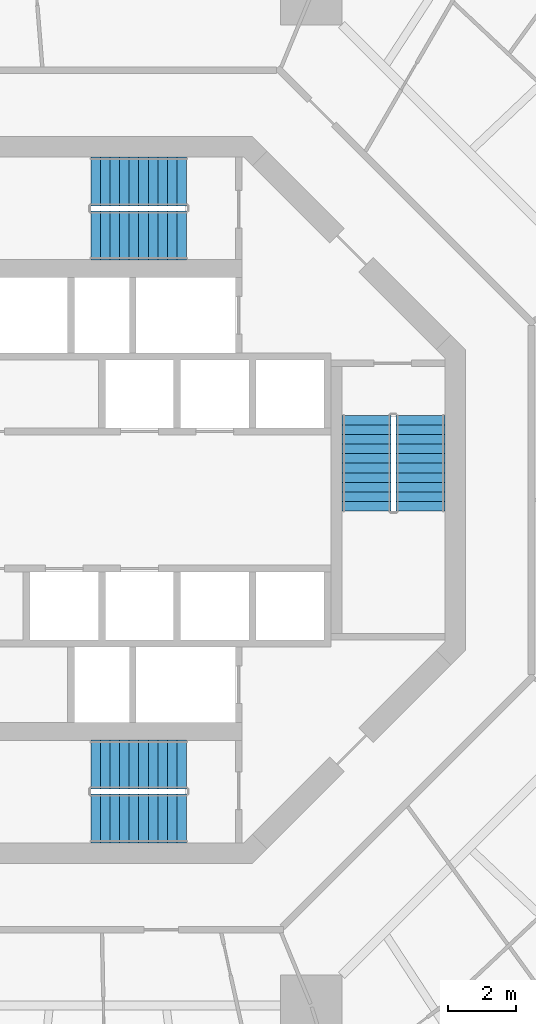
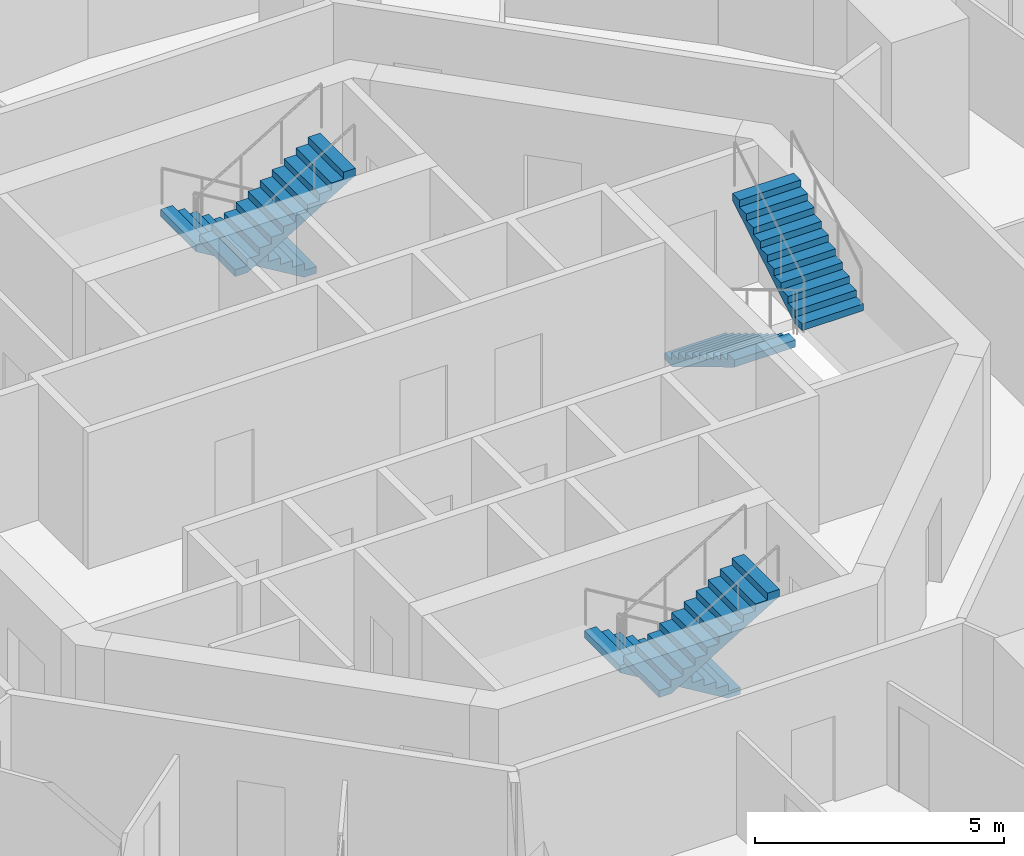
# One storey, part 16 of 19: 6 stair flights, 3 elements without a shape of their own.
"""IFC4 building model written with IfcOpenShell, lengths in metres."""

import ifcopenshell
import ifcopenshell.guid

model = None  # the IFC model being written
_history = None  # IfcOwnerHistory: only IFC2X3 demands one
_inside = {}  # id of a spatial element -> (the spatial element, [elements in it])
_under = {}  # id of a project, library or spatial element -> (it, [spatial elements below it])
_declared = {}  # id of a project -> (the project, [libraries it declares])
_typed = {}  # id of a type object -> (the type object, [elements of that type])
_made_of = {}  # id of a material, layer set ... -> (it, [elements and type objects made of it])


def new_model(schema):
    """Start an empty IFC model of exactly this schema.

    Asked for "IFC4X3", IfcOpenShell would pick the latest addendum, in which some entities
    have other attributes; the version numbers below select the first issue.
    IFC2X3 requires an IfcOwnerHistory on every rooted entity: one is made here for all.
    """
    global model, _history
    if schema == "IFC4X3":
        model = ifcopenshell.file(schema_version=(4, 3, 0, 0))
    else:
        model = ifcopenshell.file(schema=schema)
    _inside.clear()
    _under.clear()
    _declared.clear()
    _typed.clear()
    _made_of.clear()
    _history = None
    if model.schema == "IFC2X3":
        org = make("IfcOrganization", Name="unknown")
        user = make(
            "IfcPersonAndOrganization",
            ThePerson=make("IfcPerson", FamilyName="unknown"),
            TheOrganization=org,
        )
        app = make(
            "IfcApplication",
            ApplicationDeveloper=org,
            Version="unknown",
            ApplicationFullName="unknown",
            ApplicationIdentifier="unknown",
        )
        _history = make(
            "IfcOwnerHistory",
            OwningUser=user,
            OwningApplication=app,
            ChangeAction="ADDED",
            CreationDate=0,
        )
    return model


def make(cls, **values):
    """One entity of the class cls with the attributes given. An attribute that is None is left unset."""
    return model.create_entity(
        cls, **{name: value for name, value in values.items() if value is not None}
    )


def rooted(cls, **values):
    """An entity with a GlobalId (a new one), such as an element, a storey or a relation."""
    return make(cls, GlobalId=ifcopenshell.guid.new(), OwnerHistory=_history, **values)


def si_unit(unit_type, name, prefix=None):
    """IfcSIUnit, for example si_unit("LENGTHUNIT", "METRE", prefix="MILLI")."""
    return make("IfcSIUnit", UnitType=unit_type, Prefix=prefix, Name=name)


def assignment(units):
    """IfcUnitAssignment: the units of a project."""
    return None if units is None else make("IfcUnitAssignment", Units=units)


def point(xyz):
    """IfcCartesianPoint."""
    return None if xyz is None else make("IfcCartesianPoint", Coordinates=xyz)


def direction(xyz):
    """IfcDirection."""
    return None if xyz is None else make("IfcDirection", DirectionRatios=xyz)


def frame(location, z_axis=None, x_axis=None):
    """IfcAxis2Placement3D, a coordinate frame: its origin and axes. An axis left out is left unset."""
    return make(
        "IfcAxis2Placement3D",
        Location=point(location),
        Axis=direction(z_axis),
        RefDirection=direction(x_axis),
    )


def origin():
    """The frame at (0, 0, 0) with its axes left unset."""
    return frame((0.0, 0.0, 0.0))


def place(relative_to, where):
    """IfcLocalPlacement: puts the frame where relative to a parent placement (None: the world)."""
    return make(
        "IfcLocalPlacement", PlacementRelTo=relative_to, RelativePlacement=where
    )


def context(
    kind, dimensions, precision=None, world=None, true_north=None, identifier=None
):
    """IfcGeometricRepresentationContext, for example the 3D "Model" context."""
    return make(
        "IfcGeometricRepresentationContext",
        ContextIdentifier=identifier,
        ContextType=kind,
        CoordinateSpaceDimension=dimensions,
        Precision=precision,
        WorldCoordinateSystem=world,
        TrueNorth=true_north,
    )


def subcontext(parent, identifier, kind, view, scale=None):
    """IfcGeometricRepresentationSubContext, for example "Body" below "Model"."""
    return make(
        "IfcGeometricRepresentationSubContext",
        ContextIdentifier=identifier,
        ContextType=kind,
        ParentContext=parent,
        TargetScale=scale,
        TargetView=view,
    )


def project(units=None, contexts=None):
    """IfcProject with its units and contexts."""
    return rooted(
        "IfcProject",
        Name="project",
        RepresentationContexts=contexts,
        UnitsInContext=assignment(units),
    )


def spatial(cls, under=None, at=None, **own):
    """A site, building, storey or space (cls), placed at a placement, below another one or the project."""
    s = rooted(cls, ObjectPlacement=at, **own)
    if under is not None:
        _under.setdefault(under.id(), (under, []))[1].append(s)
    return s


def polyline(points):
    """IfcPolyline through the points."""
    return make("IfcPolyline", Points=[point(p) for p in points])


def outline(outer, holes=None, kind="AREA"):
    """IfcArbitraryClosedProfileDef: a profile drawn as a closed curve; with holes, ...WithVoids."""
    if holes is None:
        return make("IfcArbitraryClosedProfileDef", ProfileType=kind, OuterCurve=outer)
    return make(
        "IfcArbitraryProfileDefWithVoids",
        ProfileType=kind,
        OuterCurve=outer,
        InnerCurves=holes,
    )


def extrude(swept, where, along, depth):
    """IfcExtrudedAreaSolid: the profile swept, set in the frame where, extruded along a direction by depth."""
    return make(
        "IfcExtrudedAreaSolid",
        SweptArea=swept,
        Position=where,
        ExtrudedDirection=direction(along),
        Depth=depth,
    )


def shape(context_of_items, identifier, shape_type, items):
    """IfcShapeRepresentation: the items that make up one representation, for example the "Body"."""
    return make(
        "IfcShapeRepresentation",
        ContextOfItems=context_of_items,
        RepresentationIdentifier=identifier,
        RepresentationType=shape_type,
        Items=items,
    )


def material(Name=None, Category=None):
    """IfcMaterial."""
    return make("IfcMaterial", Name=Name, Category=Category)


def made_of(thing, what):
    """Note that an element or type object is made of a material, layer set ...; save() writes the relation."""
    if what is not None:
        _made_of.setdefault(what.id(), (what, []))[1].append(thing)
    return thing


def type_object(cls, material=None, **own):
    """A type object (cls), such as IfcWallType, which elements share."""
    return made_of(rooted(cls, **own), material)


def element(
    cls,
    number,
    at=None,
    inside=None,
    cuts=None,
    type_object=None,
    material=None,
    context=None,
    identifier="Body",
    shape_type=None,
    held_by="IfcProductDefinitionShape",
    body=None,
    shapes=None,
    **own,
):
    """One element of the class cls, such as IfcWall. Its Tag is "e" and its number.

    at: its placement. inside: the storey or other place that contains it. cuts: it is an
    opening in that element (IfcRelVoidsElement). A single representation is given by context,
    identifier, shape_type and body (its items); several are given by shapes. held_by: the class
    of the entity that holds the representations. save() writes the other relations.
    """
    e = rooted(cls, Tag="e%d" % number, ObjectPlacement=at, **own)
    if body is not None:
        shapes = [shape(context, identifier, shape_type, body)]
    if shapes is not None:
        e.Representation = make(held_by, Representations=shapes)
    if inside is not None:
        _inside.setdefault(inside.id(), (inside, []))[1].append(e)
    if cuts is not None:
        rooted(
            "IfcRelVoidsElement", RelatingBuildingElement=cuts, RelatedOpeningElement=e
        )
    if type_object is not None:
        _typed.setdefault(type_object.id(), (type_object, []))[1].append(e)
    return made_of(e, material)


def aggregate(whole, parts):
    """IfcRelAggregates: a whole, such as a stair, and the parts it consists of."""
    return rooted("IfcRelAggregates", RelatingObject=whole, RelatedObjects=parts)


def save(model, path):
    """Write the relations noted so far, then the file.

    IfcRelAggregates (storeys below a building ...), IfcRelContainedInSpatialStructure (elements
    in a storey), IfcRelDefinesByType, IfcRelAssociatesMaterial and IfcRelDeclares: one each for
    every whole, place, type object, material and project.
    """
    for whole, parts in _under.values():
        aggregate(whole, parts)
    for where, things in _inside.values():
        rooted(
            "IfcRelContainedInSpatialStructure",
            RelatedElements=things,
            RelatingStructure=where,
        )
    for kind, things in _typed.values():
        rooted("IfcRelDefinesByType", RelatedObjects=things, RelatingType=kind)
    for what, things in _made_of.values():
        rooted("IfcRelAssociatesMaterial", RelatedObjects=things, RelatingMaterial=what)
    for by, libraries in _declared.values():
        rooted("IfcRelDeclares", RelatingContext=by, RelatedDefinitions=libraries)
    model.write(path)


model = new_model("IFC4")

# Units and contexts
model_context = context("Model", 3, precision=1e-05, world=origin(), true_north=direction((0.0, 1.0)))
body_context = subcontext(model_context, "Body", "Model", "MODEL_VIEW")
ifc_project = project(units=[si_unit("LENGTHUNIT", "METRE"), si_unit("AREAUNIT", "SQUARE_METRE"), si_unit("VOLUMEUNIT", "CUBIC_METRE"), si_unit("PLANEANGLEUNIT", "RADIAN"), si_unit("MASSUNIT", "GRAM", prefix="KILO")], contexts=[model_context])

# Site, building, storey
site_placement = place(None, origin())
site = spatial("IfcSite", under=ifc_project, at=site_placement, CompositionType="ELEMENT")
building_placement = place(site_placement, origin())
building = spatial("IfcBuilding", under=site, at=building_placement, Name="Nagisa Residences", CompositionType="ELEMENT")
storey_placement = place(building_placement, frame((0.0, 0.0, 202.89990234375)))
storey = spatial("IfcBuildingStorey", under=building, at=storey_placement, Name="L51", CompositionType="ELEMENT", Elevation=202.89990234375)

# Stair, stair flights
ifc_material_1 = material(Name="Concrete C60", Category="concrete")
stair_type = type_object("IfcStairType", Name="Exit stair", PredefinedType="HALF_TURN_STAIR", material=ifc_material_1)
stair_1_placement = place(storey_placement, origin())
stair_1 = element("IfcStair", 1, at=stair_1_placement, inside=storey, type_object=stair_type, Name="L51 Exit stair E", PredefinedType="HALF_TURN_STAIR")
ifc_material_2 = material(Name="Concrete C60", Category="concrete")
stair_flight_type = type_object("IfcStairFlightType", Name="Exit stair flight", PredefinedType="STRAIGHT", material=ifc_material_2)
stair_flight_1_placement = place(storey_placement, frame((7.737060546875, 2.47509765625, 0.0), z_axis=(0.0, 0.0, 1.0), x_axis=(0.0, -1.0, 0.0)))
stair_flight_1 = element("IfcStairFlight", 2, at=stair_flight_1_placement, type_object=stair_flight_type, Name="ST-E flight 1", NumberOfRisers=11, NumberOfTreads=10, PredefinedType="STRAIGHT", RiserHeight=0.168181818, TreadLength=0.28, context=body_context, shape_type="SweptSolid", body=[
    extrude(outline(polyline([(0.0, 0.0), (0.0, 0.168212890625), (0.280029296875, 0.168212890625), (0.280029296875, 0.33642578125), (0.56005859375, 0.33642578125), (0.56005859375, 0.504638671875), (0.840087890625, 0.504638671875), (0.840087890625, 0.672607421875), (1.1201171875, 0.672607421875), (1.1201171875, 0.8408203125), (1.39990234375, 0.8408203125), (1.39990234375, 1.009033203125), (1.679931640625, 1.009033203125), (1.679931640625, 1.17724609375), (1.9599609375, 1.17724609375), (1.9599609375, 1.345458984375), (2.239990234375, 1.345458984375), (2.239990234375, 1.513671875), (2.52001953125, 1.513671875), (2.52001953125, 1.681884765625), (2.800048828125, 1.681884765625), (2.800048828125, 1.85009765625), (2.800048828125, 1.5068359375), (0.291015625, 0.0), (0.0, 0.0)])), frame((0.0, 0.71240234375, 0.0), z_axis=(0.0, -1.0, 0.0), x_axis=(1.0, 0.0, 0.0)), (0.0, 0.0, 1.0), 1.425048828125),
])
stair_flight_2_placement = place(storey_placement, frame((9.31201171875, -0.324951171875, 1.85009765625), z_axis=(0.0, 0.0, 1.0), x_axis=(0.0, 1.0, 0.0)))
stair_flight_2 = element("IfcStairFlight", 3, at=stair_flight_2_placement, type_object=stair_flight_type, Name="ST-E flight 2", NumberOfRisers=11, NumberOfTreads=10, PredefinedType="STRAIGHT", RiserHeight=0.168181818, TreadLength=0.28, context=body_context, shape_type="SweptSolid", body=[
    extrude(outline(polyline([(0.0, 0.0), (0.0, 0.168212890625), (0.280029296875, 0.168212890625), (0.280029296875, 0.33642578125), (0.56005859375, 0.33642578125), (0.56005859375, 0.504638671875), (0.840087890625, 0.504638671875), (0.840087890625, 0.672607421875), (1.1201171875, 0.672607421875), (1.1201171875, 0.8408203125), (1.39990234375, 0.8408203125), (1.39990234375, 1.009033203125), (1.679931640625, 1.009033203125), (1.679931640625, 1.17724609375), (1.9599609375, 1.17724609375), (1.9599609375, 1.345458984375), (2.239990234375, 1.345458984375), (2.239990234375, 1.513671875), (2.52001953125, 1.513671875), (2.52001953125, 1.681884765625), (2.800048828125, 1.681884765625), (2.800048828125, 1.85009765625), (2.800048828125, 1.5068359375), (0.291015625, 0.0), (0.0, 0.0)])), frame((0.0, 0.71240234375, 0.0), z_axis=(0.0, -1.0, 0.0), x_axis=(1.0, 0.0, 0.0)), (0.0, 0.0, 1.0), 1.425048828125),
])
aggregate(stair_1, [stair_flight_1, stair_flight_2])

stair_2_placement = place(storey_placement, origin())
stair_2 = element("IfcStair", 4, at=stair_2_placement, inside=storey, type_object=stair_type, Name="L51 Exit stair N", PredefinedType="HALF_TURN_STAIR")
stair_flight_3_placement = place(storey_placement, frame((2.47509765625, 9.31201171875, 0.0), z_axis=(0.0, 0.0, 1.0), x_axis=(-1.0, 0.0, 0.0)))
stair_flight_3 = element("IfcStairFlight", 5, at=stair_flight_3_placement, type_object=stair_flight_type, Name="ST-N flight 1", NumberOfRisers=11, NumberOfTreads=10, PredefinedType="STRAIGHT", RiserHeight=0.168181818, TreadLength=0.28, context=body_context, shape_type="SweptSolid", body=[
    extrude(outline(polyline([(0.0, 0.0), (0.0, 0.168212890625), (0.280029296875, 0.168212890625), (0.280029296875, 0.33642578125), (0.56005859375, 0.33642578125), (0.56005859375, 0.504638671875), (0.840087890625, 0.504638671875), (0.840087890625, 0.672607421875), (1.1201171875, 0.672607421875), (1.1201171875, 0.8408203125), (1.39990234375, 0.8408203125), (1.39990234375, 1.009033203125), (1.679931640625, 1.009033203125), (1.679931640625, 1.17724609375), (1.9599609375, 1.17724609375), (1.9599609375, 1.345458984375), (2.239990234375, 1.345458984375), (2.239990234375, 1.513671875), (2.52001953125, 1.513671875), (2.52001953125, 1.681884765625), (2.800048828125, 1.681884765625), (2.800048828125, 1.85009765625), (2.800048828125, 1.5068359375), (0.291015625, 0.0), (0.0, 0.0)])), frame((0.0, 0.71240234375, 0.0), z_axis=(0.0, -1.0, 0.0), x_axis=(1.0, 0.0, 0.0)), (0.0, 0.0, 1.0), 1.425048828125),
])
stair_flight_4_placement = place(storey_placement, frame((-0.324951171875, 7.737060546875, 1.85009765625), z_axis=(0.0, 0.0, 1.0), x_axis=(1.0, 0.0, 0.0)))
stair_flight_4 = element("IfcStairFlight", 6, at=stair_flight_4_placement, type_object=stair_flight_type, Name="ST-N flight 2", NumberOfRisers=11, NumberOfTreads=10, PredefinedType="STRAIGHT", RiserHeight=0.168181818, TreadLength=0.28, context=body_context, shape_type="SweptSolid", body=[
    extrude(outline(polyline([(0.0, 0.0), (0.0, 0.168212890625), (0.280029296875, 0.168212890625), (0.280029296875, 0.33642578125), (0.56005859375, 0.33642578125), (0.56005859375, 0.504638671875), (0.840087890625, 0.504638671875), (0.840087890625, 0.672607421875), (1.1201171875, 0.672607421875), (1.1201171875, 0.8408203125), (1.39990234375, 0.8408203125), (1.39990234375, 1.009033203125), (1.679931640625, 1.009033203125), (1.679931640625, 1.17724609375), (1.9599609375, 1.17724609375), (1.9599609375, 1.345458984375), (2.239990234375, 1.345458984375), (2.239990234375, 1.513671875), (2.52001953125, 1.513671875), (2.52001953125, 1.681884765625), (2.800048828125, 1.681884765625), (2.800048828125, 1.85009765625), (2.800048828125, 1.5068359375), (0.291015625, 0.0), (0.0, 0.0)])), frame((0.0, 0.71240234375, 0.0), z_axis=(0.0, -1.0, 0.0), x_axis=(1.0, 0.0, 0.0)), (0.0, 0.0, 1.0), 1.425048828125),
])
aggregate(stair_2, [stair_flight_3, stair_flight_4])

stair_3_placement = place(storey_placement, origin())
stair_3 = element("IfcStair", 7, at=stair_3_placement, inside=storey, type_object=stair_type, Name="L51 Exit stair S", PredefinedType="HALF_TURN_STAIR")
stair_flight_5_placement = place(storey_placement, frame((2.47509765625, -7.737060546875, 0.0), z_axis=(0.0, 0.0, 1.0), x_axis=(-1.0, 0.0, 0.0)))
stair_flight_5 = element("IfcStairFlight", 8, at=stair_flight_5_placement, type_object=stair_flight_type, Name="ST-S flight 1", NumberOfRisers=11, NumberOfTreads=10, PredefinedType="STRAIGHT", RiserHeight=0.168181818, TreadLength=0.28, context=body_context, shape_type="SweptSolid", body=[
    extrude(outline(polyline([(0.0, 0.0), (0.0, 0.168212890625), (0.280029296875, 0.168212890625), (0.280029296875, 0.33642578125), (0.56005859375, 0.33642578125), (0.56005859375, 0.504638671875), (0.840087890625, 0.504638671875), (0.840087890625, 0.672607421875), (1.1201171875, 0.672607421875), (1.1201171875, 0.8408203125), (1.39990234375, 0.8408203125), (1.39990234375, 1.009033203125), (1.679931640625, 1.009033203125), (1.679931640625, 1.17724609375), (1.9599609375, 1.17724609375), (1.9599609375, 1.345458984375), (2.239990234375, 1.345458984375), (2.239990234375, 1.513671875), (2.52001953125, 1.513671875), (2.52001953125, 1.681884765625), (2.800048828125, 1.681884765625), (2.800048828125, 1.85009765625), (2.800048828125, 1.5068359375), (0.291015625, 0.0), (0.0, 0.0)])), frame((0.0, 0.71240234375, 0.0), z_axis=(0.0, -1.0, 0.0), x_axis=(1.0, 0.0, 0.0)), (0.0, 0.0, 1.0), 1.425048828125),
])
stair_flight_6_placement = place(storey_placement, frame((-0.324951171875, -9.31201171875, 1.85009765625), z_axis=(0.0, 0.0, 1.0), x_axis=(1.0, 0.0, 0.0)))
stair_flight_6 = element("IfcStairFlight", 9, at=stair_flight_6_placement, type_object=stair_flight_type, Name="ST-S flight 2", NumberOfRisers=11, NumberOfTreads=10, PredefinedType="STRAIGHT", RiserHeight=0.168181818, TreadLength=0.28, context=body_context, shape_type="SweptSolid", body=[
    extrude(outline(polyline([(0.0, 0.0), (0.0, 0.168212890625), (0.280029296875, 0.168212890625), (0.280029296875, 0.33642578125), (0.56005859375, 0.33642578125), (0.56005859375, 0.504638671875), (0.840087890625, 0.504638671875), (0.840087890625, 0.672607421875), (1.1201171875, 0.672607421875), (1.1201171875, 0.8408203125), (1.39990234375, 0.8408203125), (1.39990234375, 1.009033203125), (1.679931640625, 1.009033203125), (1.679931640625, 1.17724609375), (1.9599609375, 1.17724609375), (1.9599609375, 1.345458984375), (2.239990234375, 1.345458984375), (2.239990234375, 1.513671875), (2.52001953125, 1.513671875), (2.52001953125, 1.681884765625), (2.800048828125, 1.681884765625), (2.800048828125, 1.85009765625), (2.800048828125, 1.5068359375), (0.291015625, 0.0), (0.0, 0.0)])), frame((0.0, 0.71240234375, 0.0), z_axis=(0.0, -1.0, 0.0), x_axis=(1.0, 0.0, 0.0)), (0.0, 0.0, 1.0), 1.425048828125),
])
aggregate(stair_3, [stair_flight_5, stair_flight_6])

save(model, "model.ifc")
